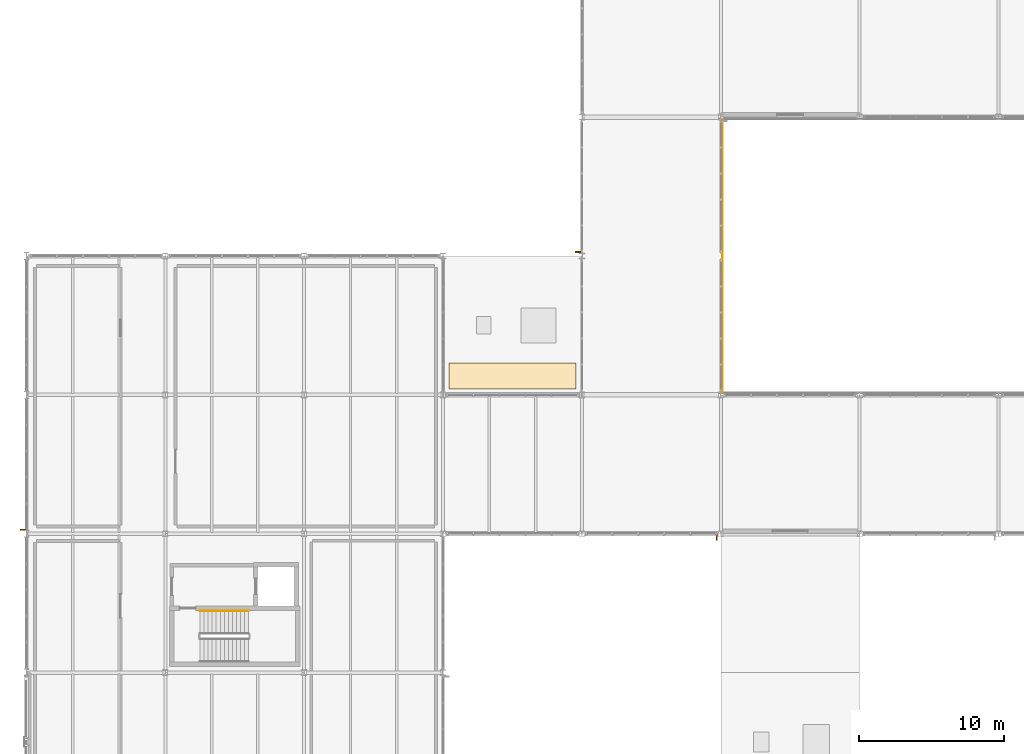
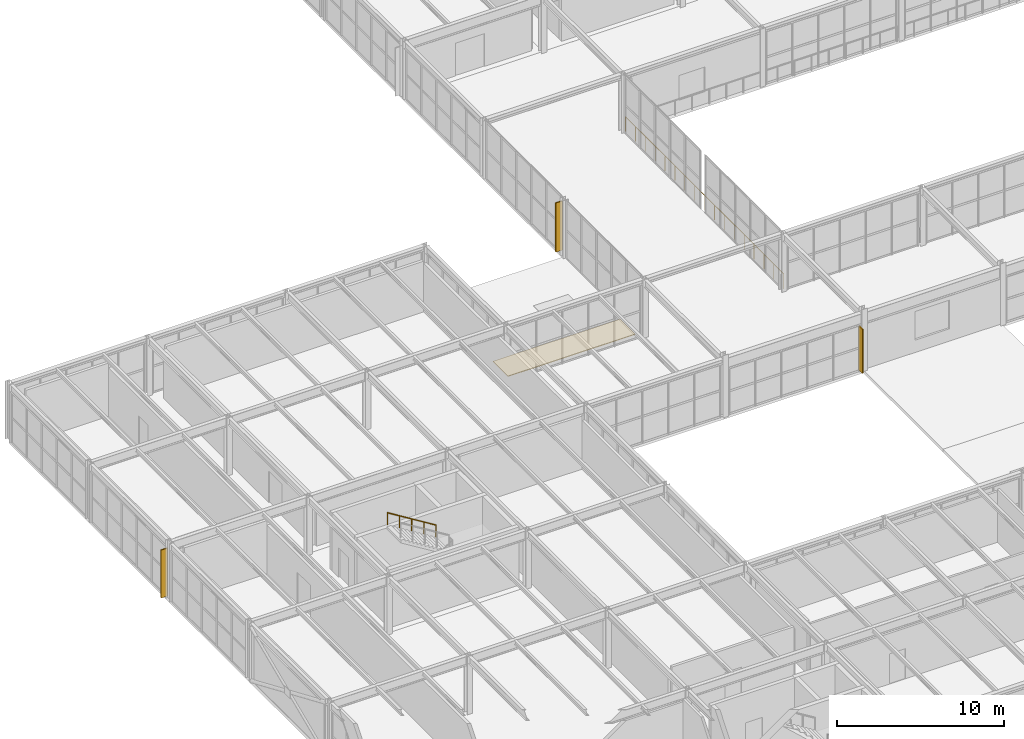
# One storey, part 160 of 170: 3 shading devices, 2 railings, 1 covering.
"""IFC4 building model written with IfcOpenShell, lengths in metres."""

from ifc_helpers import new_model, si_unit, direction, frame, origin, origin_2d, place, context, subcontext, project, spatial, polyline, rectangle, circle, outline, extrude, material, layer, layer_set, type_object, element, save


model = new_model("IFC4")

# Units and contexts
model_context = context("Model", 3, precision=1e-05, world=origin(), true_north=direction((0.0, 1.0)))
body_context = subcontext(model_context, "Body", "Model", "MODEL_VIEW")
ifc_project = project(units=[si_unit("LENGTHUNIT", "METRE"), si_unit("AREAUNIT", "SQUARE_METRE"), si_unit("VOLUMEUNIT", "CUBIC_METRE"), si_unit("PLANEANGLEUNIT", "RADIAN"), si_unit("MASSUNIT", "GRAM", prefix="KILO")], contexts=[model_context])

# Site, building, storey
site_placement = place(None, origin())
site = spatial("IfcSite", under=ifc_project, at=site_placement, CompositionType="ELEMENT")
building_placement = place(site_placement, origin())
building = spatial("IfcBuilding", under=site, at=building_placement, Name="Coralgate Yard Interchange", CompositionType="ELEMENT")
storey_placement = place(building_placement, frame((0.0, 0.0, 6.0)))
storey = spatial("IfcBuildingStorey", under=building, at=storey_placement, Name="L01", CompositionType="ELEMENT", Elevation=6.0)

# Covering
ifc_material_1 = material(Name="High-albedo solar-reflective TPO coastal roof membrane")
ifc_layer = layer(ifc_material_1, 0.050048828125)
ifc_layer_set = layer_set([ifc_layer], Name="High-albedo solar-reflective TPO coastal roof membrane")
covering_type = type_object("IfcCoveringType", Name="COV-ROF1", PredefinedType="ROOFING", material=ifc_layer_set)
covering_placement = place(storey_placement, origin())
element("IfcCovering", 1, at=covering_placement, inside=storey, type_object=covering_type, Name="L01 high-albedo TPO roof membrane 1", PredefinedType="ROOFING", context=body_context, shape_type="SweptSolid", body=[
    extrude(outline(polyline([(29.199951171875, 48.39990234375), (38.0, 48.39990234375), (38.0, 50.199951171875), (29.199951171875, 50.199951171875), (29.199951171875, 48.39990234375)])), origin(), (0.0, 0.0, 1.0), 0.050048828125),
])

# Railings
ifc_material_2 = material(Name="Grade 316 marine stainless steel and toughened glass balustrade", Category="steel")
railing_type_1 = type_object("IfcRailingType", Name="RLG-GD1100", PredefinedType="BALUSTRADE", material=ifc_material_2)
railing_1_placement = place(storey_placement, frame((48.1201171875, 48.1201171875, 0.0)))
element("IfcRailing", 2, at=railing_1_placement, inside=storey, type_object=railing_type_1, Name="L01 concourse mezzanine west bridge balustrade", PredefinedType="BALUSTRADE", context=body_context, shape_type="SweptSolid", body=[
    extrude(circle(Radius=0.02392578125, at=origin_2d()), frame((0.0, 0.0, 1.0810546875), z_axis=(0.0, 1.0, 0.0), x_axis=(-1.0, 0.0, 0.0)), (0.0, 0.0, 1.0), 18.9599609375),
    extrude(circle(Radius=0.02099609375, at=origin_2d()), origin(), (0.0, 0.0, 1.0), 1.056396484375),
    extrude(circle(Radius=0.02099609375, at=origin_2d()), frame((0.0, 1.18505859375, 0.0)), (0.0, 0.0, 1.0), 1.056396484375),
    extrude(circle(Radius=0.02099609375, at=origin_2d()), frame((0.0, 2.3701171875, 0.0)), (0.0, 0.0, 1.0), 1.056396484375),
    extrude(circle(Radius=0.02099609375, at=origin_2d()), frame((0.0, 3.554931640625, 0.0)), (0.0, 0.0, 1.0), 1.056396484375),
    extrude(circle(Radius=0.02099609375, at=origin_2d()), frame((0.0, 4.739990234375, 0.0)), (0.0, 0.0, 1.0), 1.056396484375),
    extrude(circle(Radius=0.02099609375, at=origin_2d()), frame((0.0, 5.925048828125, 0.0)), (0.0, 0.0, 1.0), 1.056396484375),
    extrude(circle(Radius=0.02099609375, at=origin_2d()), frame((0.0, 7.10986328125, 0.0)), (0.0, 0.0, 1.0), 1.056396484375),
    extrude(circle(Radius=0.02099609375, at=origin_2d()), frame((0.0, 8.294921875, 0.0)), (0.0, 0.0, 1.0), 1.056396484375),
    extrude(circle(Radius=0.02099609375, at=origin_2d()), frame((0.0, 9.47998046875, 0.0)), (0.0, 0.0, 1.0), 1.056396484375),
    extrude(circle(Radius=0.02099609375, at=origin_2d()), frame((0.0, 10.6650390625, 0.0)), (0.0, 0.0, 1.0), 1.056396484375),
    extrude(circle(Radius=0.02099609375, at=origin_2d()), frame((0.0, 11.85009765625, 0.0)), (0.0, 0.0, 1.0), 1.056396484375),
    extrude(circle(Radius=0.02099609375, at=origin_2d()), frame((0.0, 13.034912109375, 0.0)), (0.0, 0.0, 1.0), 1.056396484375),
    extrude(circle(Radius=0.02099609375, at=origin_2d()), frame((0.0, 14.219970703125, 0.0)), (0.0, 0.0, 1.0), 1.056396484375),
    extrude(circle(Radius=0.02099609375, at=origin_2d()), frame((0.0, 15.405029296875, 0.0)), (0.0, 0.0, 1.0), 1.056396484375),
    extrude(circle(Radius=0.02099609375, at=origin_2d()), frame((0.0, 16.58984375, 0.0)), (0.0, 0.0, 1.0), 1.056396484375),
    extrude(circle(Radius=0.02099609375, at=origin_2d()), frame((0.0, 17.77490234375, 0.0)), (0.0, 0.0, 1.0), 1.056396484375),
    extrude(circle(Radius=0.02099609375, at=origin_2d()), frame((0.0, 18.9599609375, 0.0)), (0.0, 0.0, 1.0), 1.056396484375),
])
ifc_material_3 = material(Name="Grade 316 marine stainless steel", Category="steel")
railing_type_2 = type_object("IfcRailingType", Name="RLG-HR900", PredefinedType="HANDRAIL", material=ifc_material_3)
railing_2_placement = place(storey_placement, frame((15.360107421875, 33.06005859375, 2.423095703125)))
element("IfcRailing", 3, at=railing_2_placement, inside=storey, type_object=railing_type_2, Name="L01 ST-01 stair handrail 2", PredefinedType="HANDRAIL", context=body_context, shape_type="SweptSolid", body=[
    extrude(circle(Radius=0.02392578125, at=origin_2d()), frame((0.0, 0.0, 0.8759765625), z_axis=(-0.850623216509, 0.0, 0.525775754039), x_axis=(0.0, -1.0, 0.0)), (0.0, 0.0, 1.0), 3.9501953125),
    extrude(circle(Radius=0.02099609375, at=origin_2d()), origin(), (0.0, 0.0, 1.0), 0.851318359375),
    extrude(circle(Radius=0.02099609375, at=origin_2d()), frame((-0.840087890625, 0.0, 0.519287109375)), (0.0, 0.0, 1.0), 0.851318359375),
    extrude(circle(Radius=0.02099609375, at=origin_2d()), frame((-1.68017578125, 0.0, 1.03857421875)), (0.0, 0.0, 1.0), 0.851318359375),
    extrude(circle(Radius=0.02099609375, at=origin_2d()), frame((-2.52001953125, 0.0, 1.5576171875)), (0.0, 0.0, 1.0), 0.851318359375),
    extrude(circle(Radius=0.02099609375, at=origin_2d()), frame((-3.360107421875, 0.0, 2.076904296875)), (0.0, 0.0, 1.0), 0.851318359375),
])

# Shading devices
ifc_material_4 = material(Name="Anodised coastal aluminium vertical brise-soleil blade", Category="aluminium")
shading_device_type = type_object("IfcShadingDeviceType", Name="SHD-BS1", PredefinedType="SHUTTER", material=ifc_material_4)
shading_device_1_placement = place(storey_placement, frame((-0.219970703125, 38.669921875, 0.10009765625), z_axis=(0.0, 0.0, 1.0), x_axis=(0.0, 1.0, 0.0)))
element("IfcShadingDevice", 4, at=shading_device_1_placement, inside=storey, type_object=shading_device_type, Name="L01 coastal aluminium brise-soleil fin W-0-4", PredefinedType="SHUTTER", context=body_context, shape_type="SweptSolid", body=[
    extrude(rectangle(XDim=0.080078125, YDim=0.449951171875, at=origin_2d()), origin(), (0.0, 0.0, 1.0), 3.516845703125),
])
shading_device_2_placement = place(storey_placement, frame((47.72998046875, 38.179931640625, 0.10009765625), z_axis=(0.0, 0.0, 1.0), x_axis=(-1.0, 0.0, 0.0)))
element("IfcShadingDevice", 5, at=shading_device_2_placement, inside=storey, type_object=shading_device_type, Name="L01 coastal aluminium brise-soleil fin S-4-4", PredefinedType="SHUTTER", context=body_context, shape_type="SweptSolid", body=[
    extrude(rectangle(XDim=0.080078125, YDim=0.449951171875, at=origin_2d()), origin(), (0.0, 0.0, 1.0), 3.209228515625),
])
shading_device_3_placement = place(storey_placement, frame((38.179931640625, 57.8701171875, 0.324951171875), z_axis=(0.0, 0.0, 1.0), x_axis=(0.0, 1.0, 0.0)))
element("IfcShadingDevice", 6, at=shading_device_3_placement, inside=storey, type_object=shading_device_type, Name="L01 coastal aluminium brise-soleil fin W-4-6", PredefinedType="SHUTTER", context=body_context, shape_type="SweptSolid", body=[
    extrude(rectangle(XDim=0.080078125, YDim=0.449951171875, at=origin_2d()), origin(), (0.0, 0.0, 1.0), 3.60009765625),
])

save(model, "model.ifc")
